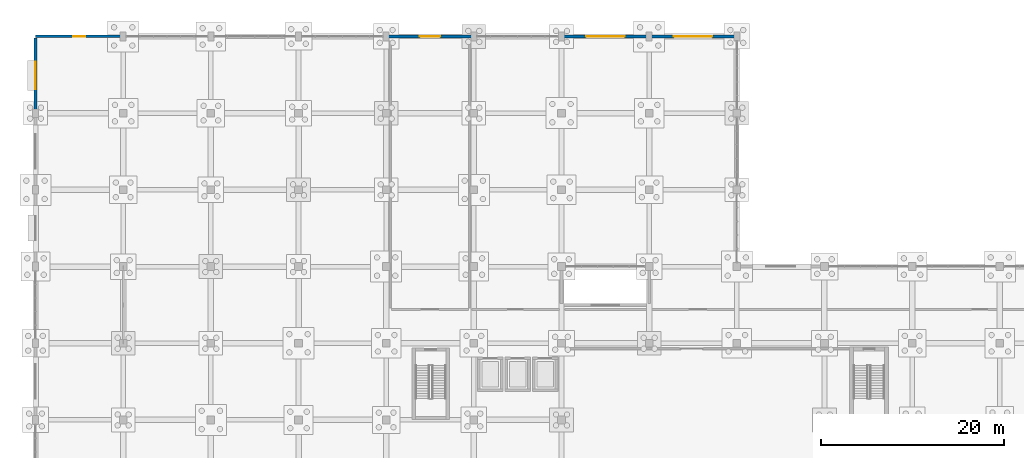
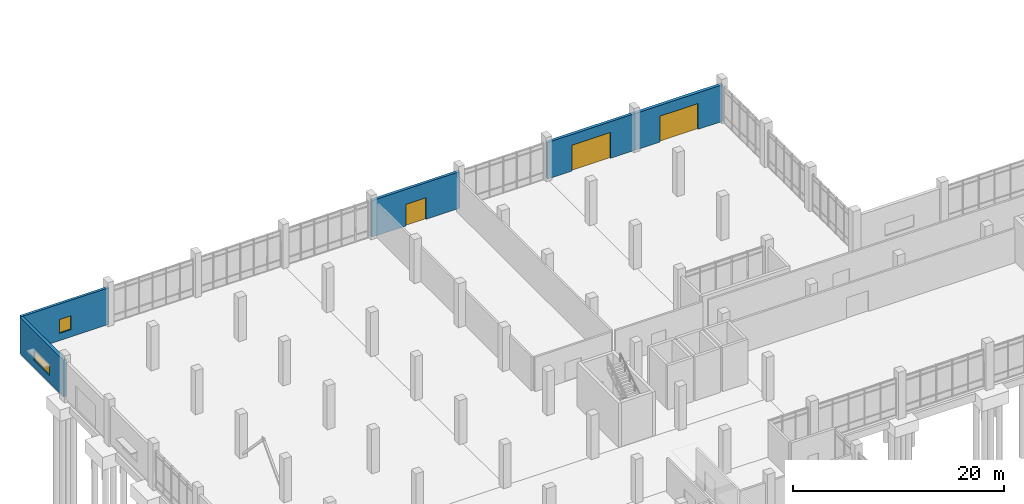
# One storey, part 118 of 136: 5 walls, 3 doors, 2 windows, 5 openings.
"""IFC4 building model written with IfcOpenShell, lengths in metres."""

from ifc_helpers import new_model, si_unit, direction, frame, frame_2d, origin, place, context, subcontext, project, spatial, rectangle, extrude, material, layer, layer_set, type_object, element, fill, save


model = new_model("IFC4")

# Units and contexts
model_context = context("Model", 3, precision=1e-05, world=origin(), true_north=direction((0.0, 1.0)))
body_context = subcontext(model_context, "Body", "Model", "MODEL_VIEW")
ifc_project = project(units=[si_unit("LENGTHUNIT", "METRE"), si_unit("AREAUNIT", "SQUARE_METRE"), si_unit("VOLUMEUNIT", "CUBIC_METRE"), si_unit("PLANEANGLEUNIT", "RADIAN"), si_unit("MASSUNIT", "GRAM", prefix="KILO")], contexts=[model_context])

# Site, building, storey
site_placement = place(None, origin())
site = spatial("IfcSite", under=ifc_project, at=site_placement, CompositionType="ELEMENT")
building_placement = place(site_placement, origin())
building = spatial("IfcBuilding", under=site, at=building_placement, Name="Oolite Switchyard Hospital", CompositionType="ELEMENT")
storey_placement = place(building_placement, origin())
storey = spatial("IfcBuildingStorey", under=building, at=storey_placement, Name="L00", CompositionType="ELEMENT", Elevation=0.0)

# Wall, opening, window
ifc_material_1 = material(Name="Precast oolitic limestone architectural concrete C40/50", Category="masonry")
ifc_layer_1 = layer(ifc_material_1, 0.280029296875)
ifc_layer_set_1 = layer_set([ifc_layer_1], Name="WAL-EXT-280")
wall_type_1 = type_object("IfcWallType", Name="WAL-EXT-280", PredefinedType="SOLIDWALL", material=ifc_layer_set_1)
wall_1_placement = place(storey_placement, frame((0.0, 134.39990234375, 0.0), z_axis=(0.0, 0.0, 1.0), x_axis=(1.0, 0.0, 0.0)))
wall_1 = element("IfcWall", 1, at=wall_1_placement, inside=storey, type_object=wall_type_1, Name="L00 Exterior Spandrel Wall 29", PredefinedType="SOLIDWALL", context=body_context, shape_type="SweptSolid", body=[
    extrude(rectangle(XDim=9.60009765625, YDim=0.280029296875, at=frame_2d((4.800048828125, 0.0))), origin(), (0.0, 0.0, 1.0), 4.239990234375),
])
opening_1_placement = place(wall_1_placement, frame((4.14990234375, 0.0, 0.85009765625)))
opening_1 = element("IfcOpeningElement", 2, at=opening_1_placement, cuts=wall_1, Name="Opening WN-0013", PredefinedType="OPENING", context=body_context, shape_type="SweptSolid", body=[
    extrude(rectangle(XDim=1.300048828125, YDim=1.60009765625, at=frame_2d((0.64990234375, 0.800048828125))), frame((0.0, 0.14990234375, 0.0), z_axis=(0.0, -1.0, 0.0), x_axis=(1.0, 0.0, 0.0)), (0.0, 0.0, 1.0), 0.300048828125),
])
ifc_material_2 = material(Name="Thermally broken aluminum frame with laminated impact glazing", Category="aluminium")
window_type_1 = type_object("IfcWindowType", Name="WIN-IMP-130X160", PartitioningType="SINGLE_PANEL", PredefinedType="WINDOW", material=ifc_material_2)
window_1_placement = place(opening_1_placement, origin())
window_1 = element("IfcWindow", 3, at=window_1_placement, inside=storey, type_object=window_type_1, Name="L00 Hurricane Impact Window WN-0013", OverallHeight=1.60009765625, OverallWidth=1.300048828125, PartitioningType="SINGLE_PANEL", PredefinedType="WINDOW", context=body_context, shape_type="SweptSolid", body=[
    extrude(rectangle(XDim=1.300048828125, YDim=1.60009765625, at=frame_2d((0.64990234375, 0.800048828125))), frame((0.0, 0.030029296875, 0.0), z_axis=(0.0, -1.0, 0.0), x_axis=(1.0, 0.0, 0.0)), (0.0, 0.0, 1.0), 0.06005859375),
])
fill(opening_1, window_1)

# Wall, opening, door
ifc_layer_2 = layer(ifc_material_1, 0.300048828125)
ifc_layer_set_2 = layer_set([ifc_layer_2], Name="WAL-EXT-300")
wall_type_2 = type_object("IfcWallType", Name="WAL-EXT-300", PredefinedType="SOLIDWALL", material=ifc_layer_set_2)
wall_2_placement = place(storey_placement, frame((38.39990234375, 134.39990234375, 0.0), z_axis=(0.0, 0.0, 1.0), x_axis=(1.0, 0.0, 0.0)))
wall_2 = element("IfcWall", 4, at=wall_2_placement, inside=storey, type_object=wall_type_2, Name="L00 Exterior Spandrel Wall 30", PredefinedType="SOLIDWALL", context=body_context, shape_type="SweptSolid", body=[
    extrude(rectangle(XDim=9.60009765625, YDim=0.300048828125, at=frame_2d((4.800048828125, 0.0))), origin(), (0.0, 0.0, 1.0), 4.239990234375),
])
opening_2_placement = place(wall_2_placement, frame((3.699951171875, 0.0, 0.0)))
opening_2 = element("IfcOpeningElement", 5, at=opening_2_placement, cuts=wall_2, Name="Opening EX-13", PredefinedType="OPENING", context=body_context, shape_type="SweptSolid", body=[
    extrude(rectangle(XDim=2.199951171875, YDim=2.5, at=frame_2d((1.10009765625, 1.25))), frame((0.0, 0.16015625, 0.0), z_axis=(0.0, -1.0, 0.0), x_axis=(1.0, 0.0, 0.0)), (0.0, 0.0, 1.0), 0.320068359375),
])
door_type_1 = type_object("IfcDoorType", Name="DR-EXT-220X250", OperationType="NOTDEFINED", PredefinedType="DOOR", material=ifc_material_2)
door_1_placement = place(opening_2_placement, origin())
door_1 = element("IfcDoor", 6, at=door_1_placement, inside=storey, type_object=door_type_1, Name="L00 Exterior EX EX-13", OperationType="DOUBLE_DOOR_SINGLE_SWING", OverallHeight=2.5, OverallWidth=2.199951171875, PredefinedType="DOOR", context=body_context, shape_type="SweptSolid", body=[
    extrude(rectangle(XDim=2.199951171875, YDim=2.5, at=frame_2d((1.10009765625, 1.25))), frame((0.0, 0.02490234375, 0.0), z_axis=(0.0, -1.0, 0.0), x_axis=(1.0, 0.0, 0.0)), (0.0, 0.0, 1.0), 0.050048828125),
])
fill(opening_2, door_1)

ifc_layer_3 = layer(ifc_material_1, 0.320068359375)
ifc_layer_set_3 = layer_set([ifc_layer_3], Name="WAL-EXT-320")
wall_type_3 = type_object("IfcWallType", Name="WAL-EXT-320", PredefinedType="SOLIDWALL", material=ifc_layer_set_3)
wall_3_placement = place(storey_placement, frame((57.60009765625, 134.39990234375, 0.0), z_axis=(0.0, 0.0, 1.0), x_axis=(1.0, 0.0, 0.0)))
wall_3 = element("IfcWall", 7, at=wall_3_placement, inside=storey, type_object=wall_type_3, Name="L00 Exterior Spandrel Wall 31", PredefinedType="SOLIDWALL", context=body_context, shape_type="SweptSolid", body=[
    extrude(rectangle(XDim=9.599853515625, YDim=0.320068359375, at=frame_2d((4.7998046875, 0.0))), origin(), (0.0, 0.0, 1.0), 4.239990234375),
])
opening_3_placement = place(wall_3_placement, frame((2.699951171875, 0.0, 0.0)))
opening_3 = element("IfcOpeningElement", 8, at=opening_3_placement, cuts=wall_3, Name="Opening GT-02", PredefinedType="OPENING", context=body_context, shape_type="SweptSolid", body=[
    extrude(rectangle(XDim=4.199951171875, YDim=3.0, at=frame_2d((2.10009765625, 1.5))), frame((0.0, 0.169921875, 0.0), z_axis=(0.0, -1.0, 0.0), x_axis=(1.0, 0.0, 0.0)), (0.0, 0.0, 1.0), 0.340087890625),
])
ifc_material_3 = material(Name="Galvanized powder-coated structural steel gate assembly", Category="steel")
door_type_2 = type_object("IfcDoorType", Name="GT-DCK-420X300", OperationType="NOTDEFINED", PredefinedType="GATE", material=ifc_material_3)
door_2_placement = place(opening_3_placement, origin())
door_2 = element("IfcDoor", 9, at=door_2_placement, inside=storey, type_object=door_type_2, Name="L00 Exterior GT GT-02", OperationType="DOUBLE_DOOR_SINGLE_SWING", OverallHeight=3.0, OverallWidth=4.199951171875, PredefinedType="GATE", context=body_context, shape_type="SweptSolid", body=[
    extrude(rectangle(XDim=4.199951171875, YDim=3.0, at=frame_2d((2.10009765625, 1.5))), frame((0.0, 0.02490234375, 0.0), z_axis=(0.0, -1.0, 0.0), x_axis=(1.0, 0.0, 0.0)), (0.0, 0.0, 1.0), 0.050048828125),
])
fill(opening_3, door_2)

ifc_layer_4 = layer(ifc_material_1, 0.340087890625)
ifc_layer_set_4 = layer_set([ifc_layer_4], Name="WAL-EXT-340")
wall_type_4 = type_object("IfcWallType", Name="WAL-EXT-340", PredefinedType="SOLIDWALL", material=ifc_layer_set_4)
wall_4_placement = place(storey_placement, frame((67.199951171875, 134.39990234375, 0.0), z_axis=(0.0, 0.0, 1.0), x_axis=(1.0, 0.0, 0.0)))
wall_4 = element("IfcWall", 10, at=wall_4_placement, inside=storey, type_object=wall_type_4, Name="L00 Exterior Spandrel Wall 32", PredefinedType="SOLIDWALL", context=body_context, shape_type="SweptSolid", body=[
    extrude(rectangle(XDim=9.60009765625, YDim=0.340087890625, at=frame_2d((4.800048828125, 0.0))), origin(), (0.0, 0.0, 1.0), 4.239990234375),
])
opening_4_placement = place(wall_4_placement, frame((2.699951171875, 0.0, 0.0)))
opening_4 = element("IfcOpeningElement", 11, at=opening_4_placement, cuts=wall_4, Name="Opening GT-03", PredefinedType="OPENING", context=body_context, shape_type="SweptSolid", body=[
    extrude(rectangle(XDim=4.199951171875, YDim=3.0, at=frame_2d((2.10009765625, 1.5))), frame((0.0, 0.18017578125, 0.0), z_axis=(0.0, -1.0, 0.0), x_axis=(1.0, 0.0, 0.0)), (0.0, 0.0, 1.0), 0.360107421875),
])
door_3_placement = place(opening_4_placement, origin())
door_3 = element("IfcDoor", 12, at=door_3_placement, inside=storey, type_object=door_type_2, Name="L00 Exterior GT GT-03", OperationType="DOUBLE_DOOR_SINGLE_SWING", OverallHeight=3.0, OverallWidth=4.199951171875, PredefinedType="GATE", context=body_context, shape_type="SweptSolid", body=[
    extrude(rectangle(XDim=4.199951171875, YDim=3.0, at=frame_2d((2.10009765625, 1.5))), frame((0.0, 0.02490234375, 0.0), z_axis=(0.0, -1.0, 0.0), x_axis=(1.0, 0.0, 0.0)), (0.0, 0.0, 1.0), 0.050048828125),
])
fill(opening_4, door_3)

# Wall, opening, window
wall_5_placement = place(storey_placement, frame((0.0, 126.0, 0.0), z_axis=(0.0, 0.0, 1.0), x_axis=(0.0, 1.0, 0.0)))
wall_5 = element("IfcWall", 13, at=wall_5_placement, inside=storey, type_object=wall_type_4, Name="L00 Exterior Spandrel Wall 53", PredefinedType="SOLIDWALL", context=body_context, shape_type="SweptSolid", body=[
    extrude(rectangle(XDim=8.239990234375, YDim=0.340087890625, at=frame_2d((4.1201171875, 0.0))), origin(), (0.0, 0.0, 1.0), 4.239990234375),
])
opening_5_placement = place(wall_5_placement, frame((2.6201171875, 0.0, 0.85009765625)))
opening_5 = element("IfcOpeningElement", 14, at=opening_5_placement, cuts=wall_5, Name="Opening WN-0018", PredefinedType="OPENING", context=body_context, shape_type="SweptSolid", body=[
    extrude(rectangle(XDim=3.0, YDim=1.199951171875, at=frame_2d((1.5, 0.60009765625))), frame((0.0, 0.18017578125, 0.0), z_axis=(0.0, -1.0, 0.0), x_axis=(1.0, 0.0, 0.0)), (0.0, 0.0, 1.0), 0.360107421875),
])
window_type_2 = type_object("IfcWindowType", Name="WIN-IMP-300X120", PartitioningType="SINGLE_PANEL", PredefinedType="WINDOW", material=ifc_material_2)
window_2_placement = place(opening_5_placement, origin())
window_2 = element("IfcWindow", 15, at=window_2_placement, inside=storey, type_object=window_type_2, Name="L00 Hurricane Impact Window WN-0018", OverallHeight=1.199951171875, OverallWidth=3.0, PartitioningType="SINGLE_PANEL", PredefinedType="WINDOW", context=body_context, shape_type="SweptSolid", body=[
    extrude(rectangle(XDim=3.0, YDim=1.199951171875, at=frame_2d((1.5, 0.60009765625))), frame((0.0, 0.030029296875, 0.0), z_axis=(0.0, -1.0, 0.0), x_axis=(1.0, 0.0, 0.0)), (0.0, 0.0, 1.0), 0.06005859375),
])
fill(opening_5, window_2)

save(model, "model.ifc")
